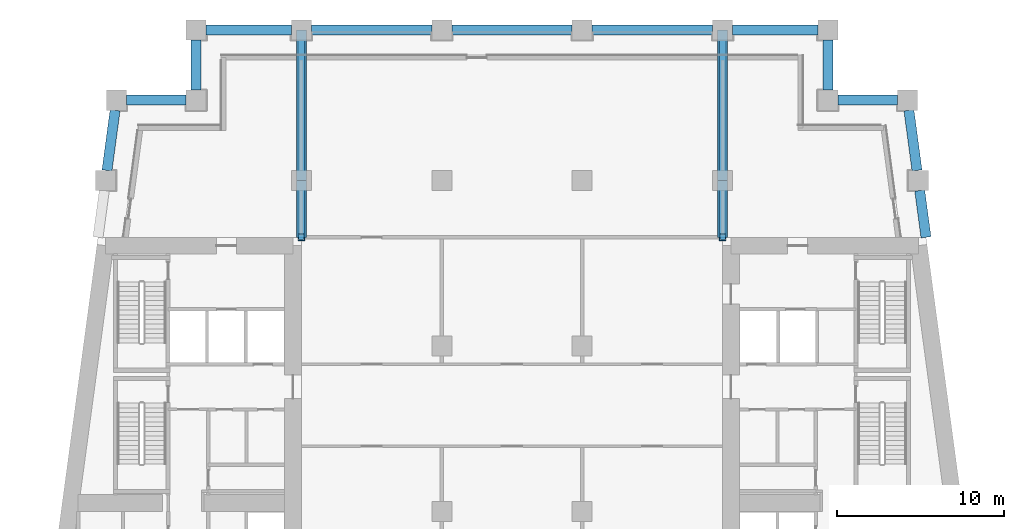
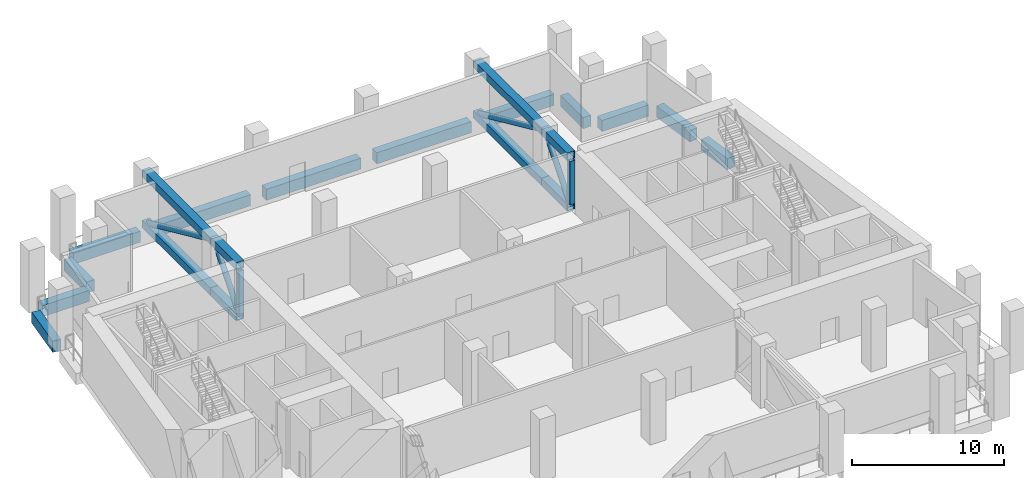
# One storey, part 3 of 11: 14 members, 12 beams.
"""IFC4 building model written with IfcOpenShell, lengths in metres."""

from ifc_helpers import new_model, si_unit, direction, frame, origin, origin_2d, place, context, subcontext, project, spatial, rectangle, hollow_rectangle, hollow_circle, extrude, material, material_profile, profile_set, type_object, element, save


model = new_model("IFC4")

# Units and contexts
model_context = context("Model", 3, precision=1e-05, world=origin(), true_north=direction((0.0, 1.0)))
body_context = subcontext(model_context, "Body", "Model", "MODEL_VIEW")
ifc_project = project(units=[si_unit("LENGTHUNIT", "METRE"), si_unit("AREAUNIT", "SQUARE_METRE"), si_unit("VOLUMEUNIT", "CUBIC_METRE"), si_unit("PLANEANGLEUNIT", "RADIAN"), si_unit("MASSUNIT", "GRAM", prefix="KILO")], contexts=[model_context])

# Site, building, storey
site_placement = place(None, origin())
site = spatial("IfcSite", under=ifc_project, at=site_placement, CompositionType="ELEMENT")
building_placement = place(site_placement, origin())
building = spatial("IfcBuilding", under=site, at=building_placement, Name="Candeia Pilgrim Tower and Theatre", CompositionType="ELEMENT")
storey_placement = place(building_placement, frame((0.0, 0.0, 142.800048828125)))
storey = spatial("IfcBuildingStorey", under=building, at=storey_placement, Name="L33", CompositionType="ELEMENT", Elevation=142.800048828125)

# Members
ifc_material_1 = material(Name="Structural steel ASTM A572 Grade 50", Category="steel")
ifc_material_profile_1 = material_profile(ifc_material_1, hollow_rectangle(XDim=0.39990234375, YDim=0.39990234375, WallThickness=0.02490234375, at=origin_2d()))
ifc_profile_set_1 = profile_set([ifc_material_profile_1], Name="Structural steel ASTM A572 Grade 50")
member_type_1 = type_object("IfcMemberType", Name="BOX 400x400x25 post", PredefinedType="POST", material=ifc_profile_set_1)
for number, where, z_axis, x_axis, name in (
    (1, (100.800048828125, 132.39990234375, 0.599853515625), (0.0, 0.0, 1.0), (1.0, 0.0, 0.0), "Outrigger truss post TO2NL33"),
    (2, (126.0, 132.39990234375, 0.599853515625), (0.0, 0.0, 1.0), (1.0, 0.0, 0.0), "Outrigger truss post TO5NL33"),
):
    element("IfcMember", number, at=place(storey_placement, frame(where, z_axis=z_axis, x_axis=x_axis)), inside=storey, type_object=member_type_1, Name=name, PredefinedType="POST", context=body_context, shape_type="SweptSolid", body=[
        extrude(hollow_rectangle(XDim=0.39990234375, YDim=0.39990234375, WallThickness=0.02490234375, at=origin_2d()), origin(), (0.0, 0.0, 1.0), 3.47998046875),
    ])
ifc_material_profile_2 = material_profile(ifc_material_1, hollow_rectangle(XDim=0.60009765625, YDim=0.60009765625, WallThickness=0.0400390625, at=origin_2d()))
ifc_profile_set_2 = profile_set([ifc_material_profile_2], Name="Structural steel ASTM A572 Grade 50")
member_type_2 = type_object("IfcMemberType", Name="BOX 600x600x40 chord", PredefinedType="CHORD", material=ifc_profile_set_2)
for number, where, z_axis, x_axis, name in (
    (3, (100.800048828125, 132.39990234375, 0.300048828125), (0.0, 1.0, 0.0), (-1.0, 0.0, 0.0), "Outrigger truss bottom chord TO2NL33"),
    (4, (100.800048828125, 132.39990234375, 4.3798828125), (0.0, 1.0, 0.0), (-1.0, 0.0, 0.0), "Outrigger truss top chord TO2NL33"),
):
    element("IfcMember", number, at=place(storey_placement, frame(where, z_axis=z_axis, x_axis=x_axis)), inside=storey, type_object=member_type_2, Name=name, PredefinedType="CHORD", context=body_context, shape_type="SweptSolid", body=[
        extrude(hollow_rectangle(XDim=0.60009765625, YDim=0.60009765625, WallThickness=0.0400390625, at=origin_2d()), origin(), (0.0, 0.0, 1.0), 3.400146484375),
    ])
for number, where, z_axis, x_axis, name in (
    (5, (100.800048828125, 135.800048828125, 0.300048828125), (0.0, 1.0, 0.0), (-1.0, 0.0, 0.0), "Outrigger truss bottom chord TO2NL33"),
    (6, (100.800048828125, 135.800048828125, 4.3798828125), (0.0, 1.0, 0.0), (-1.0, 0.0, 0.0), "Outrigger truss top chord TO2NL33"),
):
    element("IfcMember", number, at=place(storey_placement, frame(where, z_axis=z_axis, x_axis=x_axis)), inside=storey, type_object=member_type_2, Name=name, PredefinedType="CHORD", context=body_context, shape_type="SweptSolid", body=[
        extrude(hollow_rectangle(XDim=0.60009765625, YDim=0.60009765625, WallThickness=0.0400390625, at=origin_2d()), origin(), (0.0, 0.0, 1.0), 9.0),
    ])
for number, where, z_axis, x_axis, name in (
    (7, (126.0, 132.39990234375, 0.300048828125), (0.0, 1.0, 0.0), (-1.0, 0.0, 0.0), "Outrigger truss bottom chord TO5NL33"),
    (8, (126.0, 132.39990234375, 4.3798828125), (0.0, 1.0, 0.0), (-1.0, 0.0, 0.0), "Outrigger truss top chord TO5NL33"),
):
    element("IfcMember", number, at=place(storey_placement, frame(where, z_axis=z_axis, x_axis=x_axis)), inside=storey, type_object=member_type_2, Name=name, PredefinedType="CHORD", context=body_context, shape_type="SweptSolid", body=[
        extrude(hollow_rectangle(XDim=0.60009765625, YDim=0.60009765625, WallThickness=0.0400390625, at=origin_2d()), origin(), (0.0, 0.0, 1.0), 3.400146484375),
    ])
for number, where, z_axis, x_axis, name in (
    (9, (126.0, 135.800048828125, 0.300048828125), (0.0, 1.0, 0.0), (-1.0, 0.0, 0.0), "Outrigger truss bottom chord TO5NL33"),
    (10, (126.0, 135.800048828125, 4.3798828125), (0.0, 1.0, 0.0), (-1.0, 0.0, 0.0), "Outrigger truss top chord TO5NL33"),
):
    element("IfcMember", number, at=place(storey_placement, frame(where, z_axis=z_axis, x_axis=x_axis)), inside=storey, type_object=member_type_2, Name=name, PredefinedType="CHORD", context=body_context, shape_type="SweptSolid", body=[
        extrude(hollow_rectangle(XDim=0.60009765625, YDim=0.60009765625, WallThickness=0.0400390625, at=origin_2d()), origin(), (0.0, 0.0, 1.0), 9.0),
    ])
ifc_material_profile_3 = material_profile(ifc_material_1, hollow_circle(Radius=0.203125, WallThickness=0.01611328125, at=origin_2d()))
ifc_profile_set_3 = profile_set([ifc_material_profile_3], Name="Structural steel ASTM A572 Grade 50")
member_type_3 = type_object("IfcMemberType", Name="CHS 406x16 brace", PredefinedType="BRACE", material=ifc_profile_set_3)
member_1_placement = place(storey_placement, frame((100.800048828125, 132.39990234375, 0.300048828125), z_axis=(0.0, 0.640216050194, 0.768194903051), x_axis=(-1.0, 0.0, 0.0)))
element("IfcMember", 11, at=member_1_placement, inside=storey, type_object=member_type_3, Name="Outrigger truss diagonal TO2NL33", PredefinedType="BRACE", context=body_context, shape_type="SweptSolid", body=[
    extrude(hollow_circle(Radius=0.203125, WallThickness=0.01611328125, at=origin_2d()), origin(), (0.0, 0.0, 1.0), 5.31103515625),
])
member_2_placement = place(storey_placement, frame((100.800048828125, 144.800048828125, 0.300048828125), z_axis=(0.0, -0.910788217597, 0.41287385808), x_axis=(1.0, 0.0, 0.0)))
element("IfcMember", 12, at=member_2_placement, inside=storey, type_object=member_type_3, Name="Outrigger truss diagonal TO2NL33", PredefinedType="BRACE", context=body_context, shape_type="SweptSolid", body=[
    extrude(hollow_circle(Radius=0.203125, WallThickness=0.01611328125, at=origin_2d()), origin(), (0.0, 0.0, 1.0), 9.881591796875),
])
member_3_placement = place(storey_placement, frame((126.0, 132.39990234375, 0.300048828125), z_axis=(0.0, 0.640216050194, 0.768194903051), x_axis=(-1.0, 0.0, 0.0)))
element("IfcMember", 13, at=member_3_placement, inside=storey, type_object=member_type_3, Name="Outrigger truss diagonal TO5NL33", PredefinedType="BRACE", context=body_context, shape_type="SweptSolid", body=[
    extrude(hollow_circle(Radius=0.203125, WallThickness=0.01611328125, at=origin_2d()), origin(), (0.0, 0.0, 1.0), 5.31103515625),
])
member_4_placement = place(storey_placement, frame((126.0, 144.800048828125, 0.300048828125), z_axis=(0.0, -0.910788217597, 0.41287385808), x_axis=(1.0, 0.0, 0.0)))
element("IfcMember", 14, at=member_4_placement, inside=storey, type_object=member_type_3, Name="Outrigger truss diagonal TO5NL33", PredefinedType="BRACE", context=body_context, shape_type="SweptSolid", body=[
    extrude(hollow_circle(Radius=0.203125, WallThickness=0.01611328125, at=origin_2d()), origin(), (0.0, 0.0, 1.0), 9.881591796875),
])

# Beams
ifc_material_2 = material(Name="Concrete C70/85", Category="concrete")
ifc_material_profile_4 = material_profile(ifc_material_2, rectangle(XDim=0.60009765625, YDim=0.89990234375, at=origin_2d()))
ifc_profile_set_4 = profile_set([ifc_material_profile_4], Name="Concrete C70/85")
beam_type = type_object("IfcBeamType", Name="RC 600x900 C70/85", PredefinedType="BEAM", material=ifc_profile_set_4)
beam_1_placement = place(storey_placement, frame((138.169189453125, 132.39990234375, -0.449951171875), z_axis=(-0.133420173099, 0.991059562998, 0.0), x_axis=(-0.991059562998, -0.133420173099, 0.0)))
element("IfcBeam", 15, at=beam_1_placement, inside=storey, type_object=beam_type, Name="Spandrel beam L33-12", PredefinedType="BEAM", context=body_context, shape_type="SweptSolid", body=[
    extrude(rectangle(XDim=0.60009765625, YDim=0.89990234375, at=origin_2d()), origin(), (0.0, 0.0, 1.0), 2.8251953125),
])
beam_2_placement = place(storey_placement, frame((137.630859375, 136.39990234375, -0.449951171875), z_axis=(-0.133409473196, 0.991061003401, 0.0), x_axis=(-0.991061003401, -0.133409473196, 0.0)))
element("IfcBeam", 16, at=beam_2_placement, inside=storey, type_object=beam_type, Name="Spandrel beam L33-13", PredefinedType="BEAM", context=body_context, shape_type="SweptSolid", body=[
    extrude(rectangle(XDim=0.60009765625, YDim=0.89990234375, at=origin_2d()), origin(), (0.0, 0.0, 1.0), 3.632568359375),
])
beam_3_placement = place(storey_placement, frame((136.46533203125, 140.60009765625, -0.449951171875), z_axis=(-1.0, 0.0, 0.0), x_axis=(0.0, -1.0, 0.0)))
element("IfcBeam", 17, at=beam_3_placement, inside=storey, type_object=beam_type, Name="Spandrel beam L33-14", PredefinedType="BEAM", context=body_context, shape_type="SweptSolid", body=[
    extrude(rectangle(XDim=0.60009765625, YDim=0.89990234375, at=origin_2d()), origin(), (0.0, 0.0, 1.0), 3.5654296875),
])
beam_4_placement = place(storey_placement, frame((132.300048828125, 141.199951171875, -0.449951171875), z_axis=(0.0, 1.0, 0.0), x_axis=(-1.0, 0.0, 0.0)))
element("IfcBeam", 18, at=beam_4_placement, inside=storey, type_object=beam_type, Name="Spandrel beam L33-15", PredefinedType="BEAM", context=body_context, shape_type="SweptSolid", body=[
    extrude(rectangle(XDim=0.60009765625, YDim=0.89990234375, at=origin_2d()), origin(), (0.0, 0.0, 1.0), 3.0),
])
beam_5_placement = place(storey_placement, frame((131.699951171875, 144.800048828125, -0.449951171875), z_axis=(-1.0, 0.0, 0.0), x_axis=(0.0, -1.0, 0.0)))
element("IfcBeam", 19, at=beam_5_placement, inside=storey, type_object=beam_type, Name="Spandrel beam L33-16", PredefinedType="BEAM", context=body_context, shape_type="SweptSolid", body=[
    extrude(rectangle(XDim=0.60009765625, YDim=0.89990234375, at=origin_2d()), origin(), (0.0, 0.0, 1.0), 5.099853515625),
])
for number, where, z_axis, x_axis, name in (
    (20, (125.39990234375, 144.800048828125, -0.449951171875), (-1.0, 0.0, 0.0), (0.0, -1.0, 0.0), "Spandrel beam L33-17"),
    (21, (117.0, 144.800048828125, -0.449951171875), (-1.0, 0.0, 0.0), (0.0, -1.0, 0.0), "Spandrel beam L33-18"),
):
    element("IfcBeam", number, at=place(storey_placement, frame(where, z_axis=z_axis, x_axis=x_axis)), inside=storey, type_object=beam_type, Name=name, PredefinedType="BEAM", context=body_context, shape_type="SweptSolid", body=[
        extrude(rectangle(XDim=0.60009765625, YDim=0.89990234375, at=origin_2d()), origin(), (0.0, 0.0, 1.0), 7.199951171875),
    ])
beam_6_placement = place(storey_placement, frame((108.60009765625, 144.800048828125, -0.449951171875), z_axis=(-1.0, 0.0, 0.0), x_axis=(0.0, -1.0, 0.0)))
element("IfcBeam", 22, at=beam_6_placement, inside=storey, type_object=beam_type, Name="Spandrel beam L33-19", PredefinedType="BEAM", context=body_context, shape_type="SweptSolid", body=[
    extrude(rectangle(XDim=0.60009765625, YDim=0.89990234375, at=origin_2d()), origin(), (0.0, 0.0, 1.0), 7.2001953125),
])
beam_7_placement = place(storey_placement, frame((100.199951171875, 144.800048828125, -0.449951171875), z_axis=(-1.0, 0.0, 0.0), x_axis=(0.0, -1.0, 0.0)))
element("IfcBeam", 23, at=beam_7_placement, inside=storey, type_object=beam_type, Name="Spandrel beam L33-20", PredefinedType="BEAM", context=body_context, shape_type="SweptSolid", body=[
    extrude(rectangle(XDim=0.60009765625, YDim=0.89990234375, at=origin_2d()), origin(), (0.0, 0.0, 1.0), 5.099853515625),
])
beam_8_placement = place(storey_placement, frame((94.5, 144.199951171875, -0.449951171875), z_axis=(0.0, -1.0, 0.0), x_axis=(1.0, 0.0, 0.0)))
element("IfcBeam", 24, at=beam_8_placement, inside=storey, type_object=beam_type, Name="Spandrel beam L33-21", PredefinedType="BEAM", context=body_context, shape_type="SweptSolid", body=[
    extrude(rectangle(XDim=0.60009765625, YDim=0.89990234375, at=origin_2d()), origin(), (0.0, 0.0, 1.0), 3.0),
])
beam_9_placement = place(storey_placement, frame((93.89990234375, 140.60009765625, -0.449951171875), z_axis=(-1.0, 0.0, 0.0), x_axis=(0.0, -1.0, 0.0)))
element("IfcBeam", 25, at=beam_9_placement, inside=storey, type_object=beam_type, Name="Spandrel beam L33-22", PredefinedType="BEAM", context=body_context, shape_type="SweptSolid", body=[
    extrude(rectangle(XDim=0.60009765625, YDim=0.89990234375, at=origin_2d()), origin(), (0.0, 0.0, 1.0), 3.565185546875),
])
beam_10_placement = place(storey_placement, frame((89.65380859375, 140.0, -0.449951171875), z_axis=(-0.133409473196, -0.991061003401, 0.0), x_axis=(0.991061003401, -0.133409473196, 0.0)))
element("IfcBeam", 26, at=beam_10_placement, inside=storey, type_object=beam_type, Name="Spandrel beam L33-23", PredefinedType="BEAM", context=body_context, shape_type="SweptSolid", body=[
    extrude(rectangle(XDim=0.60009765625, YDim=0.89990234375, at=origin_2d()), origin(), (0.0, 0.0, 1.0), 3.632568359375),
])

save(model, "model.ifc")
